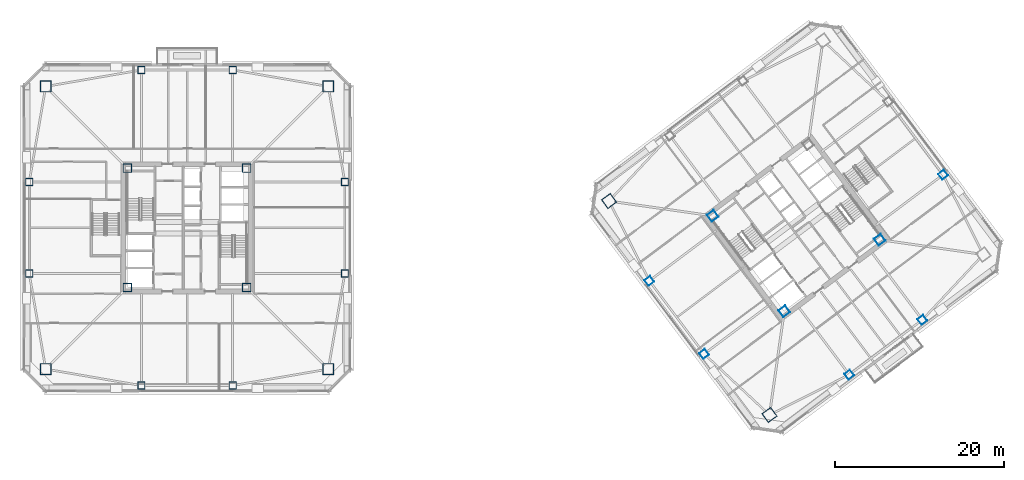
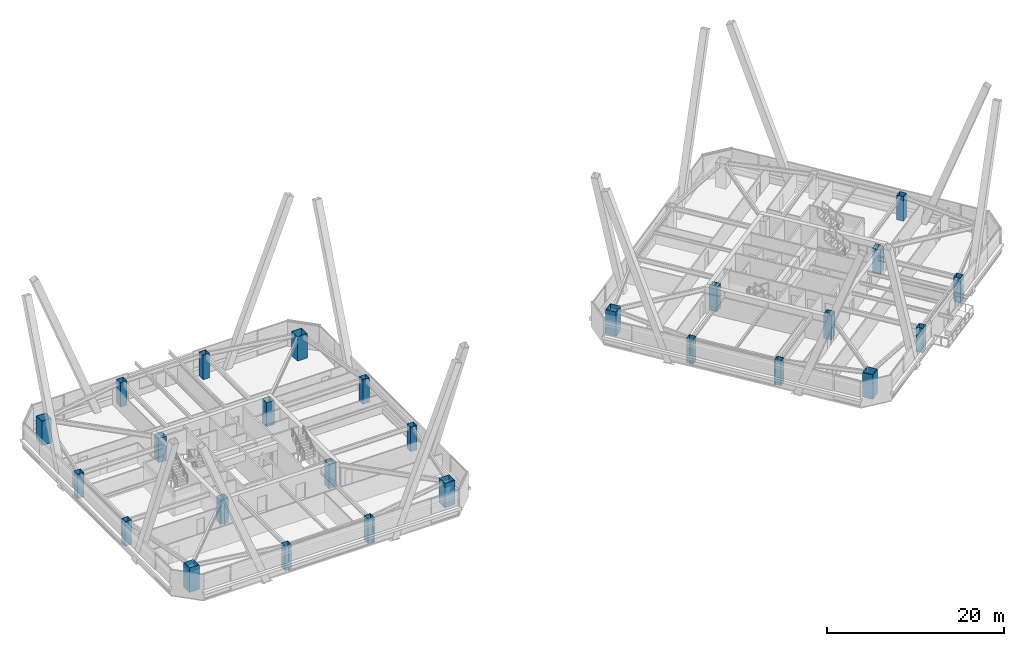
# One storey, part 1 of 54: 26 columns.
"""IFC4 building model written with IfcOpenShell, lengths in metres."""

from ifc_helpers import new_model, si_unit, direction, frame, origin, origin_2d, place, context, subcontext, project, spatial, hollow_rectangle, extrude, material, material_profile, profile_set, type_object, element, save


model = new_model("IFC4")

# Units and contexts
model_context = context("Model", 3, precision=1e-05, world=origin(), true_north=direction((0.0, 1.0)))
body_context = subcontext(model_context, "Body", "Model", "MODEL_VIEW")
ifc_project = project(units=[si_unit("LENGTHUNIT", "METRE"), si_unit("AREAUNIT", "SQUARE_METRE"), si_unit("VOLUMEUNIT", "CUBIC_METRE"), si_unit("PLANEANGLEUNIT", "RADIAN"), si_unit("MASSUNIT", "GRAM", prefix="KILO")], contexts=[model_context])

# Site, building, storey
site_placement = place(None, origin())
site = spatial("IfcSite", under=ifc_project, at=site_placement, CompositionType="ELEMENT")
building_placement = place(site_placement, origin())
building = spatial("IfcBuilding", under=site, at=building_placement, Name="Tashvorn Skyway Center", CompositionType="ELEMENT")
storey_placement = place(building_placement, frame((0.0, 0.0, 135.699951171875)))
storey = spatial("IfcBuildingStorey", under=building, at=storey_placement, Name="L36", CompositionType="ELEMENT", Elevation=135.699951171875)

# Columns
ifc_material = material(Name="Steel ASTM A572 Grade 50", Category="steel")
ifc_material_profile_1 = material_profile(ifc_material, hollow_rectangle(XDim=1.0, YDim=1.0, WallThickness=0.0400390625, at=origin_2d()), Name="BOX1000x1000x40")
ifc_profile_set_1 = profile_set([ifc_material_profile_1], Name="Steel ASTM A572 Grade 50")
column_type_1 = type_object("IfcColumnType", Name="COL-BOX1000x1000x40", PredefinedType="COLUMN", material=ifc_profile_set_1)
for number, where, z_axis, x_axis, name in (
    (1, (34.949951171875, 24.949951171875, 0.0), (0.0, 0.0, 1.0), (1.0, 0.0, 0.0), "Tower 1 L36 Core Corner Column CC-SW"),
    (2, (49.050048828125, 24.949951171875, 0.0), (0.0, 0.0, 1.0), (1.0, 0.0, 0.0), "Tower 1 L36 Core Corner Column CC-SE"),
    (3, (49.050048828125, 39.050048828125, 0.0), (0.0, 0.0, 1.0), (1.0, 0.0, 0.0), "Tower 1 L36 Core Corner Column CC-NE"),
    (4, (34.949951171875, 39.050048828125, 0.0), (0.0, 0.0, 1.0), (1.0, 0.0, 0.0), "Tower 1 L36 Core Corner Column CC-NW"),
    (5, (112.590087890625, 22.1298828125, 0.0), (0.0, 0.0, 1.0), (0.799999996291, 0.600000004945, 0.0), "Tower 2 L36 Core Corner Column CC-SW"),
    (6, (123.8701171875, 30.590087890625, 0.0), (0.0, 0.0, 1.0), (0.799999996291, 0.600000004945, 0.0), "Tower 2 L36 Core Corner Column CC-SE"),
    (7, (104.1298828125, 33.409912109375, 0.0), (0.0, 0.0, 1.0), (0.799999996291, 0.600000004945, 0.0), "Tower 2 L36 Core Corner Column CC-NW"),
):
    element("IfcColumn", number, at=place(storey_placement, frame(where, z_axis=z_axis, x_axis=x_axis)), inside=storey, type_object=column_type_1, Name=name, PredefinedType="COLUMN", context=body_context, shape_type="SweptSolid", body=[
        extrude(hollow_rectangle(XDim=1.0, YDim=1.0, WallThickness=0.0400390625, at=origin_2d()), origin(), (0.0, 0.0, 1.0), 3.3701171875),
    ])
ifc_material_profile_2 = material_profile(ifc_material, hollow_rectangle(XDim=1.300048828125, YDim=1.300048828125, WallThickness=0.050048828125, at=origin_2d()), Name="BOX1300x1300x50")
ifc_profile_set_2 = profile_set([ifc_material_profile_2], Name="Steel ASTM A572 Grade 50")
column_type_2 = type_object("IfcColumnType", Name="COL-BOX1300x1300x50", PredefinedType="COLUMN", material=ifc_profile_set_2)
for number, where, z_axis, x_axis, name in (
    (8, (25.300048828125, 15.300048828125, 0.0), (0.0, 0.0, 1.0), (1.0, 0.0, 0.0), "Tower 1 L36 Mega-Column MC-SW"),
    (9, (58.699951171875, 15.300048828125, 0.0), (0.0, 0.0, 1.0), (1.0, 0.0, 0.0), "Tower 1 L36 Mega-Column MC-SE"),
    (10, (58.699951171875, 48.699951171875, 0.0), (0.0, 0.0, 1.0), (1.0, 0.0, 0.0), "Tower 1 L36 Mega-Column MC-NE"),
    (11, (25.300048828125, 48.699951171875, 0.0), (0.0, 0.0, 1.0), (1.0, 0.0, 0.0), "Tower 1 L36 Mega-Column MC-NW"),
    (12, (110.840087890625, 9.8798828125, 0.0), (0.0, 0.0, 1.0), (0.799999996291, 0.600000004945, 0.0), "Tower 2 L36 Mega-Column MC-SW"),
    (13, (91.8798828125, 35.159912109375, 0.0), (0.0, 0.0, 1.0), (0.799999996291, 0.600000004945, 0.0), "Tower 2 L36 Mega-Column MC-NW"),
):
    element("IfcColumn", number, at=place(storey_placement, frame(where, z_axis=z_axis, x_axis=x_axis)), inside=storey, type_object=column_type_2, Name=name, PredefinedType="COLUMN", context=body_context, shape_type="SweptSolid", body=[
        extrude(hollow_rectangle(XDim=1.300048828125, YDim=1.300048828125, WallThickness=0.050048828125, at=origin_2d()), origin(), (0.0, 0.0, 1.0), 3.3701171875),
    ])
ifc_material_profile_3 = material_profile(ifc_material, hollow_rectangle(XDim=0.85009765625, YDim=0.85009765625, WallThickness=0.034912109375, at=origin_2d()), Name="BOX850x850x35")
ifc_profile_set_3 = profile_set([ifc_material_profile_3], Name="Steel ASTM A572 Grade 50")
column_type_3 = type_object("IfcColumnType", Name="COL-BOX850x850x35", PredefinedType="COLUMN", material=ifc_profile_set_3)
for number, where, z_axis, x_axis, name in (
    (14, (36.60009765625, 13.35009765625, 0.0), (0.0, 0.0, 1.0), (1.0, 0.0, 0.0), "Tower 1 L36 Perimeter Column FC-S1"),
    (15, (47.39990234375, 13.35009765625, 0.0), (0.0, 0.0, 1.0), (1.0, 0.0, 0.0), "Tower 1 L36 Perimeter Column FC-S2"),
    (16, (60.64990234375, 26.60009765625, 0.0), (0.0, 0.0, 1.0), (1.0, 0.0, 0.0), "Tower 1 L36 Perimeter Column FC-E1"),
    (17, (60.64990234375, 37.39990234375, 0.0), (0.0, 0.0, 1.0), (1.0, 0.0, 0.0), "Tower 1 L36 Perimeter Column FC-E2"),
    (18, (47.39990234375, 50.64990234375, 0.0), (0.0, 0.0, 1.0), (1.0, 0.0, 0.0), "Tower 1 L36 Perimeter Column FC-N1"),
    (19, (36.60009765625, 50.64990234375, 0.0), (0.0, 0.0, 1.0), (1.0, 0.0, 0.0), "Tower 1 L36 Perimeter Column FC-N2"),
    (20, (23.35009765625, 37.39990234375, 0.0), (0.0, 0.0, 1.0), (1.0, 0.0, 0.0), "Tower 1 L36 Perimeter Column FC-W1"),
    (21, (23.35009765625, 26.60009765625, 0.0), (0.0, 0.0, 1.0), (1.0, 0.0, 0.0), "Tower 1 L36 Perimeter Column FC-W2"),
    (22, (120.27001953125, 14.639892578125, 0.0), (0.0, 0.0, 1.0), (0.799999996291, 0.600000004945, 0.0), "Tower 2 L36 Perimeter Column FC-S1"),
    (23, (128.909912109375, 21.1201171875, 0.0), (0.0, 0.0, 1.0), (0.799999996291, 0.600000004945, 0.0), "Tower 2 L36 Perimeter Column FC-S2"),
    (24, (131.360107421875, 38.27001953125, 0.0), (0.0, 0.0, 1.0), (0.799999996291, 0.600000004945, 0.0), "Tower 2 L36 Perimeter Column FC-E1"),
    (25, (96.639892578125, 25.72998046875, 0.0), (0.0, 0.0, 1.0), (0.799999996291, 0.600000004945, 0.0), "Tower 2 L36 Perimeter Column FC-W1"),
    (26, (103.1201171875, 17.090087890625, 0.0), (0.0, 0.0, 1.0), (0.799999996291, 0.600000004945, 0.0), "Tower 2 L36 Perimeter Column FC-W2"),
):
    element("IfcColumn", number, at=place(storey_placement, frame(where, z_axis=z_axis, x_axis=x_axis)), inside=storey, type_object=column_type_3, Name=name, PredefinedType="COLUMN", context=body_context, shape_type="SweptSolid", body=[
        extrude(hollow_rectangle(XDim=0.85009765625, YDim=0.85009765625, WallThickness=0.034912109375, at=origin_2d()), origin(), (0.0, 0.0, 1.0), 3.3701171875),
    ])

save(model, "model.ifc")
